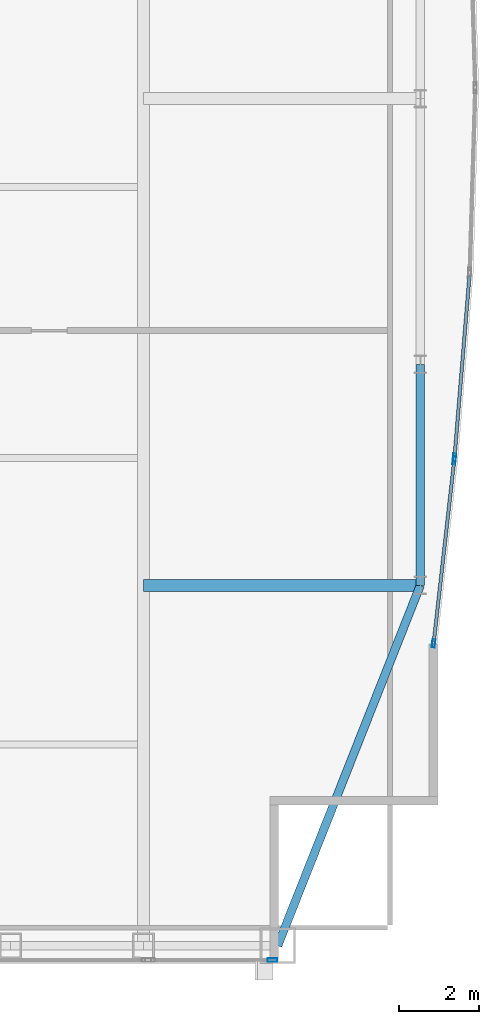
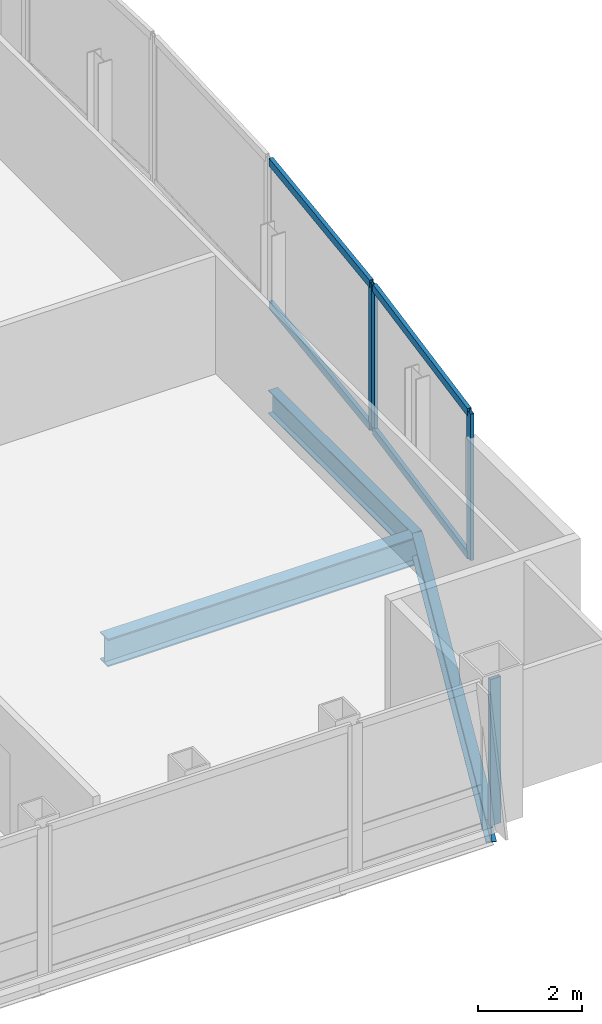
# One storey, part 13 of 25: 8 members, 3 beams, 3 elements without a shape of their own.
"""IFC4 building model written with IfcOpenShell, lengths in metres."""

from ifc_helpers import new_model, si_unit, direction, frame, origin, origin_2d, place, context, subcontext, project, spatial, hollow_rectangle, i_section, extrude, material, material_profile, profile_set, type_object, element, aggregate, save


model = new_model("IFC4")

# Units and contexts
model_context = context("Model", 3, precision=1e-05, world=origin(), true_north=direction((0.0, 1.0)))
body_context = subcontext(model_context, "Body", "Model", "MODEL_VIEW")
ifc_project = project(units=[si_unit("LENGTHUNIT", "METRE"), si_unit("AREAUNIT", "SQUARE_METRE"), si_unit("VOLUMEUNIT", "CUBIC_METRE"), si_unit("PLANEANGLEUNIT", "RADIAN"), si_unit("MASSUNIT", "GRAM", prefix="KILO")], contexts=[model_context])

# Site, building, storey
site_placement = place(None, origin())
site = spatial("IfcSite", under=ifc_project, at=site_placement, CompositionType="ELEMENT")
building_placement = place(site_placement, origin())
building = spatial("IfcBuilding", under=site, at=building_placement, Name="Khoronbel Lancet Exchange", CompositionType="ELEMENT")
storey_placement = place(building_placement, frame((0.0, 0.0, 295.0)))
storey = spatial("IfcBuildingStorey", under=building, at=storey_placement, Name="L76", CompositionType="ELEMENT", Elevation=295.0)

# Beams
ifc_material_1 = material(Name="Steel S355", Category="steel")
ifc_material_profile_1 = material_profile(ifc_material_1, i_section(OverallWidth=0.300048828125, OverallDepth=0.64990234375, WebThickness=0.01611328125, FlangeThickness=0.031005859375, at=origin_2d()), Name="HEB 650")
ifc_profile_set_1 = profile_set([ifc_material_profile_1], Name="Steel S355")
beam_type_1 = type_object("IfcBeamType", Name="BM-BG4", PredefinedType="BEAM", material=ifc_profile_set_1)
beam_1_placement = place(storey_placement, frame((54.675048828125, 19.199951171875, -0.485107421875), z_axis=(1.0, 0.0, 0.0), x_axis=(0.0, 1.0, 0.0)))
element("IfcBeam", 1, at=beam_1_placement, inside=storey, type_object=beam_type_1, Name="Level L76 east lens tie girder LG1E", PredefinedType="BEAM", context=body_context, shape_type="SweptSolid", body=[
    extrude(i_section(OverallWidth=0.300048828125, OverallDepth=0.64990234375, WebThickness=0.01611328125, FlangeThickness=0.031005859375, at=origin_2d()), origin(), (0.0, 0.0, 1.0), 6.954833984375),
])
ifc_material_profile_2 = material_profile(ifc_material_1, i_section(OverallWidth=0.2099609375, OverallDepth=0.550048828125, WebThickness=0.010986328125, FlangeThickness=0.01708984375, at=origin_2d()), Name="IPE 550")
ifc_profile_set_2 = profile_set([ifc_material_profile_2], Name="Steel S355")
beam_type_2 = type_object("IfcBeamType", Name="BM-BSP3", PredefinedType="SPANDREL", material=ifc_profile_set_2)
beam_2_placement = place(storey_placement, frame((58.050048828125, 10.14990234375, -0.43505859375), z_axis=(0.367828403855, 0.929893684954, 0.0), x_axis=(-0.929893684954, 0.367828403855, 0.0)))
element("IfcBeam", 2, at=beam_2_placement, inside=storey, type_object=beam_type_2, Name="Level L76 perimeter spandrel beam SP10", PredefinedType="SPANDREL", context=body_context, shape_type="SweptSolid", body=[
    extrude(i_section(OverallWidth=0.2099609375, OverallDepth=0.550048828125, WebThickness=0.010986328125, FlangeThickness=0.01708984375, at=origin_2d()), origin(), (0.0, 0.0, 1.0), 9.732421875),
])
beam_3_placement = place(storey_placement, frame((61.6298828125, 19.199951171875, -0.43505859375), z_axis=(0.0, 1.0, 0.0), x_axis=(-1.0, 0.0, 0.0)))
element("IfcBeam", 3, at=beam_3_placement, inside=storey, type_object=beam_type_2, Name="Level L76 perimeter spandrel beam SP11", PredefinedType="SPANDREL", context=body_context, shape_type="SweptSolid", body=[
    extrude(i_section(OverallWidth=0.2099609375, OverallDepth=0.550048828125, WebThickness=0.010986328125, FlangeThickness=0.01708984375, at=origin_2d()), origin(), (0.0, 0.0, 1.0), 5.550048828125),
])

# Curtain wall, member
ifc_material_2 = material(Name="Low-E Solar Control Insulating Glass", Category="glass")
curtain_wall_type_1 = type_object("IfcCurtainWallType", Name="CW-3", PredefinedType="NOTDEFINED", material=ifc_material_2)
curtain_wall_1_placement = place(storey_placement, origin())
curtain_wall_1 = element("IfcCurtainWall", 4, at=curtain_wall_1_placement, inside=storey, type_object=curtain_wall_type_1, Name="Unitised curtain wall CW-L76-SEV", PredefinedType="NOTDEFINED")
ifc_material_3 = material(Name="Bronze-Anodised Aluminium 6063-T6", Category="aluminium")
ifc_material_profile_3 = material_profile(ifc_material_3, hollow_rectangle(XDim=0.0849609375, YDim=0.239990234375, WallThickness=0.006103515625, at=origin_2d()), Name="ALU MULLION 85x240")
ifc_profile_set_3 = profile_set([ifc_material_profile_3], Name="Bronze-Anodised Aluminium 6063-T6")
member_type_1 = type_object("IfcMemberType", Name="MEM-CWM1", PredefinedType="MULLION", material=ifc_profile_set_3)
member_1_placement = place(storey_placement, frame((57.91748046875, 9.7900390625, 0.0), z_axis=(0.0, 0.0, 1.0), x_axis=(0.0, 1.0, 0.0)))
member_1 = element("IfcMember", 5, at=member_1_placement, type_object=member_type_1, Name="CW3 mullion 2", PredefinedType="MULLION", context=body_context, shape_type="SweptSolid", body=[
    extrude(hollow_rectangle(XDim=0.0849609375, YDim=0.239990234375, WallThickness=0.006103515625, at=origin_2d()), origin(), (0.0, 0.0, 1.0), 3.43994140625),
])
aggregate(curtain_wall_1, [member_1])

curtain_wall_type_2 = type_object("IfcCurtainWallType", Name="CW-4", PredefinedType="NOTDEFINED", material=ifc_material_2)
curtain_wall_2_placement = place(storey_placement, origin())
curtain_wall_2 = element("IfcCurtainWall", 6, at=curtain_wall_2_placement, inside=storey, type_object=curtain_wall_type_2, Name="Unitised curtain wall CW-L76-E21", PredefinedType="NOTDEFINED")
ifc_material_profile_4 = material_profile(ifc_material_3, hollow_rectangle(XDim=0.074951171875, YDim=0.199951171875, WallThickness=0.0048828125, at=origin_2d()), Name="ALU MULLION 75x200")
ifc_profile_set_4 = profile_set([ifc_material_profile_4], Name="Bronze-Anodised Aluminium 6063-T6")
member_type_2 = type_object("IfcMemberType", Name="MEM-CWM2", PredefinedType="MULLION", material=ifc_profile_set_4)
member_2_placement = place(storey_placement, frame((62.488525390625, 22.412841796875, 0.0), z_axis=(0.0, 0.0, 1.0), x_axis=(0.996626353667, -0.082072596992, 0.0)))
member_2 = element("IfcMember", 7, at=member_2_placement, type_object=member_type_2, Name="CW4 mullion 2", PredefinedType="MULLION", context=body_context, shape_type="SweptSolid", body=[
    extrude(hollow_rectangle(XDim=0.074951171875, YDim=0.199951171875, WallThickness=0.0048828125, at=origin_2d()), origin(), (0.0, 0.0, 1.0), 3.43994140625),
])

# Curtain wall, members
curtain_wall_3_placement = place(storey_placement, origin())
curtain_wall_3 = element("IfcCurtainWall", 8, at=curtain_wall_3_placement, inside=storey, type_object=curtain_wall_type_2, Name="Unitised curtain wall CW-L76-E22", PredefinedType="NOTDEFINED")
member_3_placement = place(storey_placement, frame((62.481201171875, 22.338134765625, 0.0), z_axis=(0.0, 0.0, 1.0), x_axis=(0.993731788903, -0.111790570813, 0.0)))
member_3 = element("IfcMember", 9, at=member_3_placement, type_object=member_type_2, Name="CW4 mullion 1", PredefinedType="MULLION", context=body_context, shape_type="SweptSolid", body=[
    extrude(hollow_rectangle(XDim=0.074951171875, YDim=0.199951171875, WallThickness=0.0048828125, at=origin_2d()), origin(), (0.0, 0.0, 1.0), 3.43994140625),
])
member_4_placement = place(storey_placement, frame((61.964111328125, 17.7421875, 0.0), z_axis=(0.0, 0.0, 1.0), x_axis=(0.993731788903, -0.111790570813, 0.0)))
member_4 = element("IfcMember", 10, at=member_4_placement, type_object=member_type_2, Name="CW4 mullion 2", PredefinedType="MULLION", context=body_context, shape_type="SweptSolid", body=[
    extrude(hollow_rectangle(XDim=0.074951171875, YDim=0.199951171875, WallThickness=0.0048828125, at=origin_2d()), origin(), (0.0, 0.0, 1.0), 3.43994140625),
])

# Member
ifc_material_profile_5 = material_profile(ifc_material_3, hollow_rectangle(XDim=0.0849609375, YDim=0.179931640625, WallThickness=0.0048828125, at=origin_2d()), Name="ALU TRANSOM 85x180")
ifc_profile_set_5 = profile_set([ifc_material_profile_5], Name="Bronze-Anodised Aluminium 6063-T6")
member_type_3 = type_object("IfcMemberType", Name="MEM-CWT1", PredefinedType="USERDEFINED", material=ifc_profile_set_5)
member_5_placement = place(storey_placement, frame((62.86328125, 26.963623046875, 0.04248046875), z_axis=(-0.082104072496, -0.996623761145, 0.0), x_axis=(0.996623761145, -0.082104072496, 0.0)))
member_5 = element("IfcMember", 11, at=member_5_placement, type_object=member_type_3, Name="CW4 transom 1.1", ObjectType="TRANSOM", PredefinedType="USERDEFINED", context=body_context, shape_type="SweptSolid", body=[
    extrude(hollow_rectangle(XDim=0.0849609375, YDim=0.179931640625, WallThickness=0.0048828125, at=origin_2d()), origin(), (0.0, 0.0, 1.0), 4.52880859375),
])

member_6_placement = place(storey_placement, frame((62.86328125, 26.963623046875, 3.3974609375), z_axis=(-0.082104072496, -0.996623761145, 0.0), x_axis=(0.996623761145, -0.082104072496, 0.0)))
member_6 = element("IfcMember", 12, at=member_6_placement, type_object=member_type_3, Name="CW4 transom 1.2", ObjectType="TRANSOM", PredefinedType="USERDEFINED", context=body_context, shape_type="SweptSolid", body=[
    extrude(hollow_rectangle(XDim=0.0849609375, YDim=0.179931640625, WallThickness=0.0048828125, at=origin_2d()), origin(), (0.0, 0.0, 1.0), 4.52880859375),
])

aggregate(curtain_wall_2, [member_2, member_5, member_6])

member_7_placement = place(storey_placement, frame((62.47705078125, 22.30078125, 0.04248046875), z_axis=(-0.111774239585, -0.993733625961, 0.0), x_axis=(0.993733625961, -0.111774239585, 0.0)))
member_7 = element("IfcMember", 13, at=member_7_placement, type_object=member_type_3, Name="CW4 transom 1.1", ObjectType="TRANSOM", PredefinedType="USERDEFINED", context=body_context, shape_type="SweptSolid", body=[
    extrude(hollow_rectangle(XDim=0.0849609375, YDim=0.179931640625, WallThickness=0.0048828125, at=origin_2d()), origin(), (0.0, 0.0, 1.0), 4.5498046875),
])

member_8_placement = place(storey_placement, frame((62.47705078125, 22.30078125, 3.3974609375), z_axis=(-0.111774239585, -0.993733625961, 0.0), x_axis=(0.993733625961, -0.111774239585, 0.0)))
member_8 = element("IfcMember", 14, at=member_8_placement, type_object=member_type_3, Name="CW4 transom 1.2", ObjectType="TRANSOM", PredefinedType="USERDEFINED", context=body_context, shape_type="SweptSolid", body=[
    extrude(hollow_rectangle(XDim=0.0849609375, YDim=0.179931640625, WallThickness=0.0048828125, at=origin_2d()), origin(), (0.0, 0.0, 1.0), 4.5498046875),
])

aggregate(curtain_wall_3, [member_3, member_4, member_7, member_8])

save(model, "model.ifc")
